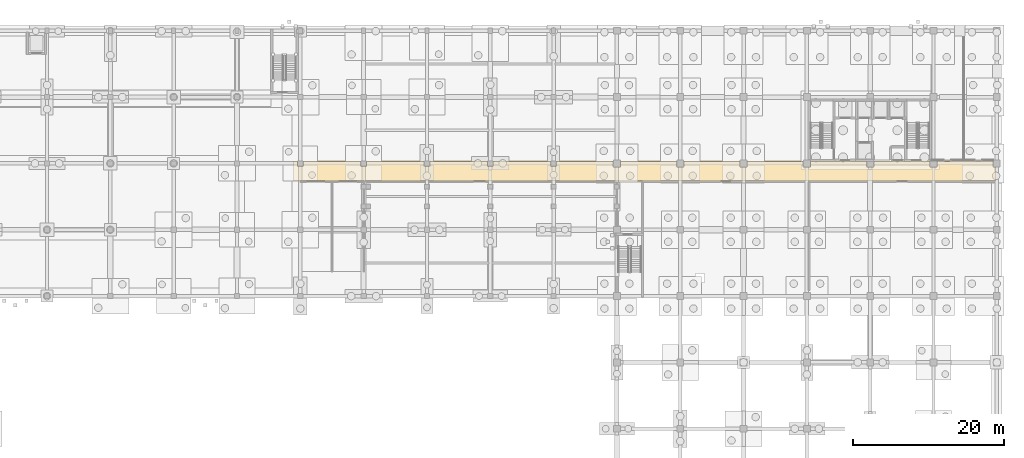
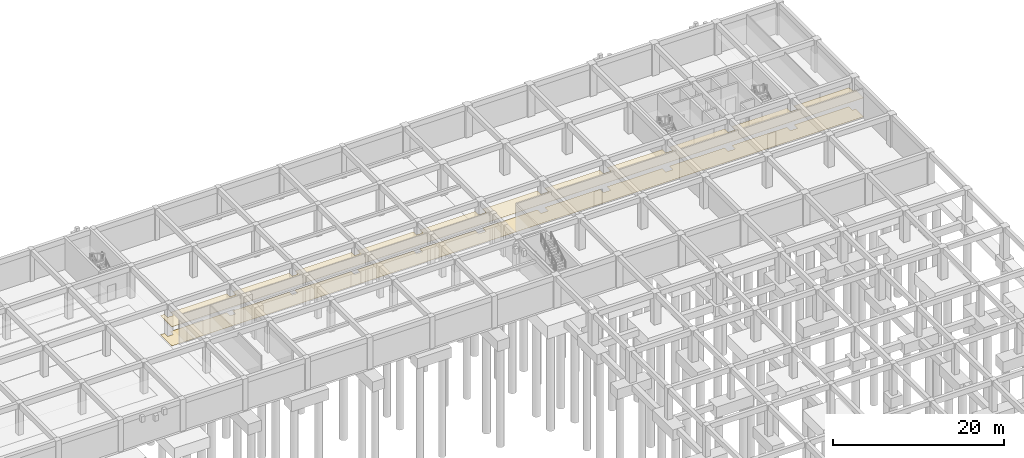
# One storey, part 38 of 41: 2 coverings.
"""IFC4 building model written with IfcOpenShell, lengths in metres."""

from ifc_helpers import new_model, si_unit, direction, frame, origin, place, context, subcontext, project, spatial, polyline, outline, extrude, material, layer, layer_set, type_object, element, save


model = new_model("IFC4")

# Units and contexts
model_context = context("Model", 3, precision=1e-05, world=origin(), true_north=direction((0.0, 1.0)))
body_context = subcontext(model_context, "Body", "Model", "MODEL_VIEW")
ifc_project = project(units=[si_unit("LENGTHUNIT", "METRE"), si_unit("AREAUNIT", "SQUARE_METRE"), si_unit("VOLUMEUNIT", "CUBIC_METRE"), si_unit("PLANEANGLEUNIT", "RADIAN"), si_unit("MASSUNIT", "GRAM", prefix="KILO")], contexts=[model_context])

# Site, building, storey
site_placement = place(None, origin())
site = spatial("IfcSite", under=ifc_project, at=site_placement, CompositionType="ELEMENT")
building_placement = place(site_placement, origin())
building = spatial("IfcBuilding", under=site, at=building_placement, Name="Kemercrest Conservatory and Botanical Centre", CompositionType="ELEMENT")
storey_placement = place(building_placement, frame((0.0, 0.0, -4.5)))
storey = spatial("IfcBuildingStorey", under=building, at=storey_placement, Name="B1", CompositionType="ELEMENT", Elevation=-4.5)

# Coverings
ifc_material_1 = material(Name="Perforated acoustic gypsum and mineral-fibre suspended ceiling", Category="gypsum")
ifc_layer_1 = layer(ifc_material_1, 0.034912109375)
ifc_layer_set_1 = layer_set([ifc_layer_1], Name="Perforated acoustic gypsum and mineral-fibre suspended ceiling")
covering_type_1 = type_object("IfcCoveringType", Name="CV-CLG035", PredefinedType="CEILING", material=ifc_layer_set_1)
covering_1_placement = place(storey_placement, frame((0.0, 0.0, 2.699951171875)))
element("IfcCovering", 1, at=covering_1_placement, inside=storey, type_object=covering_type_1, Name="Basement Freight and Quarantine Corridor suspended acoustic ceiling", PredefinedType="CEILING", context=body_context, shape_type="SweptSolid", body=[
    extrude(outline(polyline([(82.679931640625, 102.47998046875), (175.919921875, 102.47998046875), (175.919921875, 104.31005859375), (175.510009765625, 104.31005859375), (175.510009765625, 105.1201171875), (168.090087890625, 105.1201171875), (168.090087890625, 104.31005859375), (167.110107421875, 104.31005859375), (167.110107421875, 105.1201171875), (159.68994140625, 105.1201171875), (159.68994140625, 104.31005859375), (158.7099609375, 104.31005859375), (158.7099609375, 105.1201171875), (151.2900390625, 105.1201171875), (151.2900390625, 104.31005859375), (150.31005859375, 104.31005859375), (150.31005859375, 105.1201171875), (142.889892578125, 105.1201171875), (142.889892578125, 104.31005859375), (141.909912109375, 104.31005859375), (141.909912109375, 105.1201171875), (134.489990234375, 105.1201171875), (134.489990234375, 104.31005859375), (133.510009765625, 104.31005859375), (133.510009765625, 105.1201171875), (126.090087890625, 105.1201171875), (126.090087890625, 104.31005859375), (125.110107421875, 104.31005859375), (125.110107421875, 105.1201171875), (117.590087890625, 105.1201171875), (117.590087890625, 104.409912109375), (116.81005859375, 104.409912109375), (116.81005859375, 105.1201171875), (109.18994140625, 105.1201171875), (109.18994140625, 104.409912109375), (108.409912109375, 104.409912109375), (108.409912109375, 105.1201171875), (100.7900390625, 105.1201171875), (100.7900390625, 104.409912109375), (100.010009765625, 104.409912109375), (100.010009765625, 105.1201171875), (92.389892578125, 105.1201171875), (92.389892578125, 104.409912109375), (91.610107421875, 104.409912109375), (91.610107421875, 105.1201171875), (83.989990234375, 105.1201171875), (83.989990234375, 104.409912109375), (83.2099609375, 104.409912109375), (83.2099609375, 105.1201171875), (82.679931640625, 105.1201171875), (82.679931640625, 102.47998046875)])), origin(), (0.0, 0.0, 1.0), 0.03515625),
])
ifc_material_2 = material(Name="Polished limestone terrazzo and seamless laboratory epoxy flooring", Category="masonry")
ifc_layer_2 = layer(ifc_material_2, 0.02001953125)
ifc_layer_set_2 = layer_set([ifc_layer_2], Name="Polished limestone terrazzo and seamless laboratory epoxy flooring")
covering_type_2 = type_object("IfcCoveringType", Name="CV-FLR020", PredefinedType="FLOORING", material=ifc_layer_set_2)
covering_2_placement = place(storey_placement, origin())
element("IfcCovering", 2, at=covering_2_placement, inside=storey, type_object=covering_type_2, Name="Basement Freight and Quarantine Corridor floor finish", PredefinedType="FLOORING", context=body_context, shape_type="SweptSolid", body=[
    extrude(outline(polyline([(82.679931640625, 102.47998046875), (175.919921875, 102.47998046875), (175.919921875, 104.31005859375), (175.510009765625, 104.31005859375), (175.510009765625, 105.1201171875), (168.090087890625, 105.1201171875), (168.090087890625, 104.31005859375), (167.110107421875, 104.31005859375), (167.110107421875, 105.1201171875), (159.68994140625, 105.1201171875), (159.68994140625, 104.31005859375), (158.7099609375, 104.31005859375), (158.7099609375, 105.1201171875), (151.2900390625, 105.1201171875), (151.2900390625, 104.31005859375), (150.31005859375, 104.31005859375), (150.31005859375, 105.1201171875), (142.889892578125, 105.1201171875), (142.889892578125, 104.31005859375), (141.909912109375, 104.31005859375), (141.909912109375, 105.1201171875), (134.489990234375, 105.1201171875), (134.489990234375, 104.31005859375), (133.510009765625, 104.31005859375), (133.510009765625, 105.1201171875), (126.090087890625, 105.1201171875), (126.090087890625, 104.31005859375), (125.110107421875, 104.31005859375), (125.110107421875, 105.1201171875), (117.590087890625, 105.1201171875), (117.590087890625, 104.409912109375), (116.81005859375, 104.409912109375), (116.81005859375, 105.1201171875), (109.18994140625, 105.1201171875), (109.18994140625, 104.409912109375), (108.409912109375, 104.409912109375), (108.409912109375, 105.1201171875), (100.7900390625, 105.1201171875), (100.7900390625, 104.409912109375), (100.010009765625, 104.409912109375), (100.010009765625, 105.1201171875), (92.389892578125, 105.1201171875), (92.389892578125, 104.409912109375), (91.610107421875, 104.409912109375), (91.610107421875, 105.1201171875), (83.989990234375, 105.1201171875), (83.989990234375, 104.409912109375), (83.2099609375, 104.409912109375), (83.2099609375, 105.1201171875), (82.679931640625, 105.1201171875), (82.679931640625, 102.47998046875)])), origin(), (0.0, 0.0, 1.0), 0.02001953125),
])

save(model, "model.ifc")
